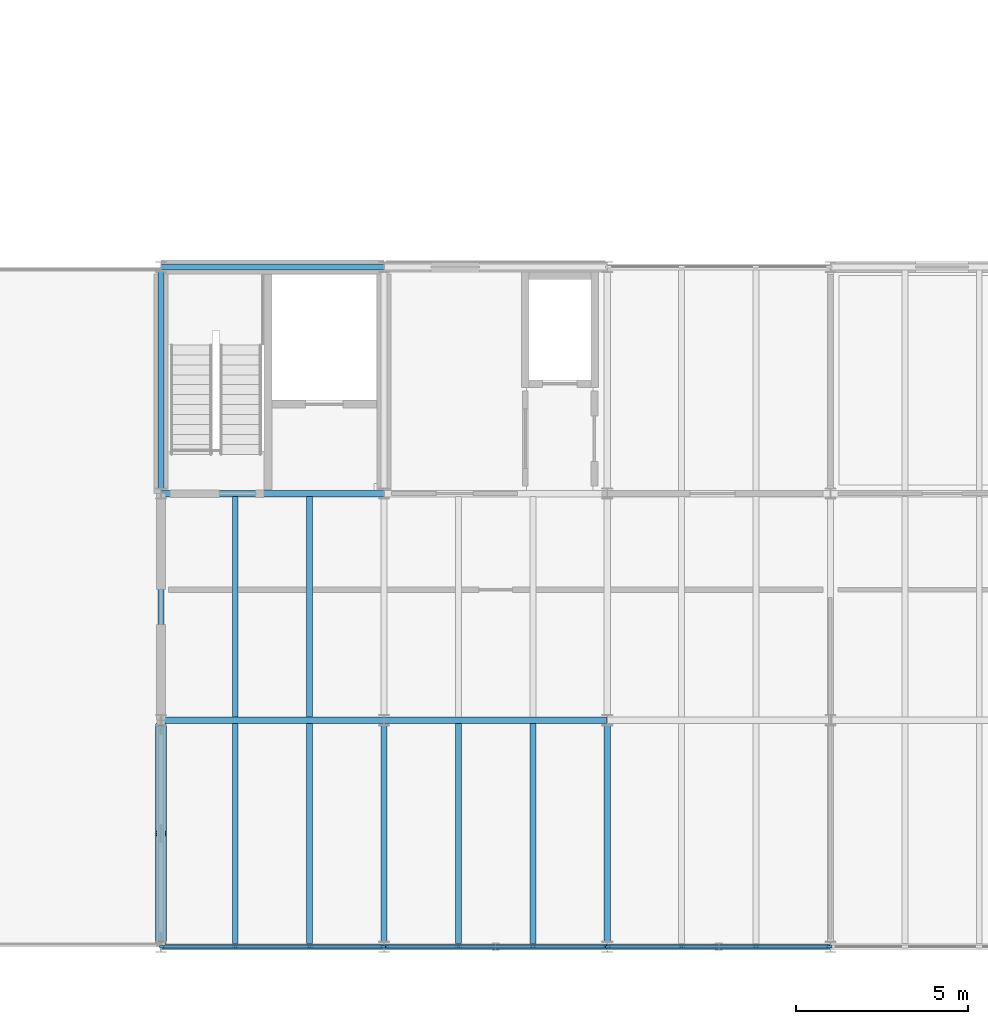
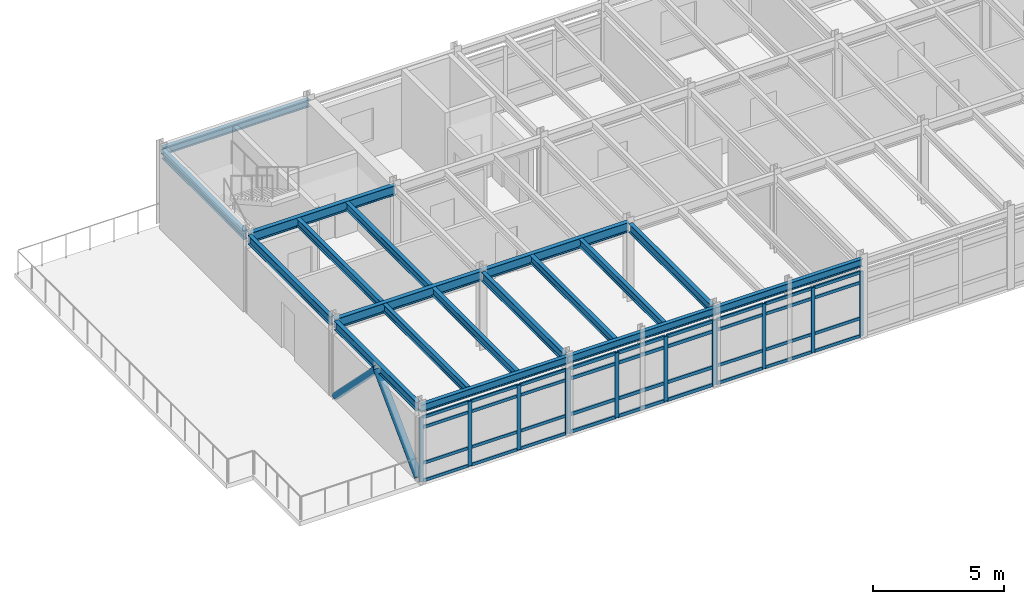
# One storey, part 19 of 57: 50 members, 18 beams, 3 elements without a shape of their own.
"""IFC4 building model written with IfcOpenShell, lengths in metres."""

from ifc_helpers import new_model, si_unit, direction, frame, origin, origin_2d, place, context, subcontext, project, spatial, rectangle, hollow_circle, i_section, extrude, material, layer, layer_set, material_profile, profile_set, type_object, element, aggregate, save


model = new_model("IFC4")

# Units and contexts
model_context = context("Model", 3, precision=1e-05, world=origin(), true_north=direction((0.0, 1.0)))
body_context = subcontext(model_context, "Body", "Model", "MODEL_VIEW")
ifc_project = project(units=[si_unit("LENGTHUNIT", "METRE"), si_unit("AREAUNIT", "SQUARE_METRE"), si_unit("VOLUMEUNIT", "CUBIC_METRE"), si_unit("PLANEANGLEUNIT", "RADIAN"), si_unit("MASSUNIT", "GRAM", prefix="KILO")], contexts=[model_context])

# Site, building, storey
site_placement = place(None, origin())
site = spatial("IfcSite", under=ifc_project, at=site_placement, CompositionType="ELEMENT")
building_placement = place(site_placement, origin())
building = spatial("IfcBuilding", under=site, at=building_placement, Name="Trelmorton Wharf Fire Station", CompositionType="ELEMENT")
storey_placement = place(building_placement, frame((0.0, 0.0, 13.5)))
storey = spatial("IfcBuildingStorey", under=building, at=storey_placement, Name="L03", CompositionType="ELEMENT", Elevation=13.5)

# Beams
ifc_material_1 = material(Name="Steel Grade 350", Category="steel")
ifc_material_profile_1 = material_profile(ifc_material_1, i_section(OverallWidth=0.177978515625, OverallDepth=0.406005859375, WebThickness=0.0078125, FlangeThickness=0.0126953125, FilletRadius=0.011474609375, at=origin_2d()), Name="410UB59.7")
ifc_profile_set_1 = profile_set([ifc_material_profile_1], Name="Steel Grade 350")
beam_type_1 = type_object("IfcBeamType", Name="BM_410UB60", PredefinedType="BEAM", material=ifc_profile_set_1)
for number, where, z_axis, x_axis, name in (
    (1, (110.5, 7.95361328125, 3.427001953125), (0.0, 1.0, 0.0), (-1.0, 0.0, 0.0), "BM-L03-0983"),
    (2, (110.5, 14.553466796875, 3.427001953125), (0.0, 1.0, 0.0), (-1.0, 0.0, 0.0), "BM-L03-0984"),
    (3, (110.5, 21.153564453125, 3.427001953125), (0.0, 1.0, 0.0), (-1.0, 0.0, 0.0), "BM-L03-0985"),
    (4, (117.0, 7.95361328125, 3.427001953125), (0.0, 1.0, 0.0), (-1.0, 0.0, 0.0), "BM-L03-0989"),
    (5, (123.5, 7.95361328125, 3.427001953125), (0.0, 1.0, 0.0), (-1.0, 0.0, 0.0), "BM-L03-0995"),
):
    element("IfcBeam", number, at=place(storey_placement, frame(where, z_axis=z_axis, x_axis=x_axis)), inside=storey, type_object=beam_type_1, Name=name, PredefinedType="BEAM", context=body_context, shape_type="SweptSolid", body=[
        extrude(i_section(OverallWidth=0.177978515625, OverallDepth=0.406005859375, WebThickness=0.0078125, FlangeThickness=0.0126953125, FilletRadius=0.011474609375, at=origin_2d()), origin(), (0.0, 0.0, 1.0), 6.29296875),
    ])
ifc_material_profile_2 = material_profile(ifc_material_1, i_section(OverallWidth=0.18994140625, OverallDepth=0.45703125, WebThickness=0.009033203125, FlangeThickness=0.014404296875, FilletRadius=0.011474609375, at=origin_2d()), Name="460UB74.6")
ifc_profile_set_2 = profile_set([ifc_material_profile_2], Name="Steel Grade 350")
beam_type_2 = type_object("IfcBeamType", Name="BM_460UB75", PredefinedType="BEAM", material=ifc_profile_set_2)
for number, where, z_axis, x_axis, name in (
    (6, (110.50390625, 14.39990234375, 3.401611328125), (1.0, 0.0, 0.0), (0.0, 1.0, 0.0), "BM-L03-0885"),
    (7, (117.00390625, 14.39990234375, 3.401611328125), (1.0, 0.0, 0.0), (0.0, 1.0, 0.0), "BM-L03-0886"),
    (8, (110.50390625, 21.0, 3.401611328125), (1.0, 0.0, 0.0), (0.0, 1.0, 0.0), "BM-L03-0897"),
):
    element("IfcBeam", number, at=place(storey_placement, frame(where, z_axis=z_axis, x_axis=x_axis)), inside=storey, type_object=beam_type_2, Name=name, PredefinedType="BEAM", context=body_context, shape_type="SweptSolid", body=[
        extrude(i_section(OverallWidth=0.18994140625, OverallDepth=0.45703125, WebThickness=0.009033203125, FlangeThickness=0.014404296875, FilletRadius=0.011474609375, at=origin_2d()), origin(), (0.0, 0.0, 1.0), 6.4921875),
    ])

# Members
ifc_material_2 = material(Name="Steel C450L0 (450 MPa)", Category="steel")
ifc_material_profile_3 = material_profile(ifc_material_2, hollow_circle(Radius=0.161865234375, WallThickness=0.0126953125, at=origin_2d()), Name="323.9x12.7CHS")
ifc_profile_set_3 = profile_set([ifc_material_profile_3], Name="Steel C450L0 (450 MPa)")
member_type_1 = type_object("IfcMemberType", Name="BR_324CHS", PredefinedType="BRACE", material=ifc_profile_set_3)
for number, where, z_axis, x_axis, name in (
    (9, (110.5, 7.95458984375, 0.1201171875), (0.0, 0.705489603679, 0.708720268583), (-1.0, 0.0, 0.0), "CBF-V5-W-L03-A"),
    (10, (110.5, 14.24560546875, 0.1201171875), (0.0, -0.705489603679, 0.708720268583), (1.0, 0.0, 0.0), "CBF-V5-W-L03-B"),
):
    element("IfcMember", number, at=place(storey_placement, frame(where, z_axis=z_axis, x_axis=x_axis)), inside=storey, type_object=member_type_1, Name=name, PredefinedType="BRACE", context=body_context, shape_type="SweptSolid", body=[
        extrude(hollow_circle(Radius=0.161865234375, WallThickness=0.0126953125, at=origin_2d()), origin(), (0.0, 0.0, 1.0), 4.45849609375),
    ])

# Curtain wall, members
ifc_material_3 = material(Name="Anodised aluminium AW-6063", Category="aluminium")
ifc_layer_1 = layer(ifc_material_3, 0.159912109375)
ifc_layer_set_1 = layer_set([ifc_layer_1], Name="Anodised aluminium AW-6063")
curtain_wall_type_1 = type_object("IfcCurtainWallType", Name="CW_CHIC_A", PredefinedType="USERDEFINED", material=ifc_layer_set_1)
curtain_wall_1_placement = place(storey_placement, origin())
curtain_wall_1 = element("IfcCurtainWall", 11, at=curtain_wall_1_placement, inside=storey, type_object=curtain_wall_type_1, Name="CW-V5-L03-061", ObjectType="CHICAGO BAY CURTAIN WALL", PredefinedType="USERDEFINED")
ifc_material_profile_4 = material_profile(ifc_material_3, rectangle(XDim=0.06494140625, YDim=0.159912109375, at=origin_2d()), Name="ALU-65x160")
ifc_profile_set_4 = profile_set([ifc_material_profile_4], Name="Anodised aluminium AW-6063")
member_type_2 = type_object("IfcMemberType", Name="CWM_65x160", PredefinedType="MULLION", material=ifc_profile_set_4)
member_1_placement = place(storey_placement, frame((116.965087890625, 7.800048828125, 0.0), z_axis=(0.0, 0.0, 1.0), x_axis=(0.0, -1.0, 0.0)))
member_1 = element("IfcMember", 12, at=member_1_placement, type_object=member_type_2, Name="CW1 mullion 1", PredefinedType="MULLION", context=body_context, shape_type="SweptSolid", body=[
    extrude(rectangle(XDim=0.06494140625, YDim=0.159912109375, at=origin_2d()), origin(), (0.0, 0.0, 1.0), 3.02001953125),
])
member_2_placement = place(storey_placement, frame((114.831787109375, 7.800048828125, 0.0), z_axis=(0.0, 0.0, 1.0), x_axis=(0.0, -1.0, 0.0)))
member_2 = element("IfcMember", 13, at=member_2_placement, type_object=member_type_2, Name="CW1 mullion 2", PredefinedType="MULLION", context=body_context, shape_type="SweptSolid", body=[
    extrude(rectangle(XDim=0.06494140625, YDim=0.159912109375, at=origin_2d()), origin(), (0.0, 0.0, 1.0), 3.02001953125),
])
member_3_placement = place(storey_placement, frame((112.668212890625, 7.800048828125, 0.0), z_axis=(0.0, 0.0, 1.0), x_axis=(0.0, -1.0, 0.0)))
member_3 = element("IfcMember", 14, at=member_3_placement, type_object=member_type_2, Name="CW1 mullion 3", PredefinedType="MULLION", context=body_context, shape_type="SweptSolid", body=[
    extrude(rectangle(XDim=0.06494140625, YDim=0.159912109375, at=origin_2d()), origin(), (0.0, 0.0, 1.0), 3.02001953125),
])
member_4_placement = place(storey_placement, frame((110.534912109375, 7.800048828125, 0.0), z_axis=(0.0, 0.0, 1.0), x_axis=(0.0, -1.0, 0.0)))
member_4 = element("IfcMember", 15, at=member_4_placement, type_object=member_type_2, Name="CW1 mullion 4", PredefinedType="MULLION", context=body_context, shape_type="SweptSolid", body=[
    extrude(rectangle(XDim=0.06494140625, YDim=0.159912109375, at=origin_2d()), origin(), (0.0, 0.0, 1.0), 3.02001953125),
])

curtain_wall_2_placement = place(storey_placement, origin())
curtain_wall_2 = element("IfcCurtainWall", 16, at=curtain_wall_2_placement, inside=storey, type_object=curtain_wall_type_1, Name="CW-V5-L03-063", ObjectType="CHICAGO BAY CURTAIN WALL", PredefinedType="USERDEFINED")
member_5_placement = place(storey_placement, frame((129.965087890625, 7.800048828125, 0.0), z_axis=(0.0, 0.0, 1.0), x_axis=(0.0, -1.0, 0.0)))
member_5 = element("IfcMember", 17, at=member_5_placement, type_object=member_type_2, Name="CW1 mullion 1", PredefinedType="MULLION", context=body_context, shape_type="SweptSolid", body=[
    extrude(rectangle(XDim=0.06494140625, YDim=0.159912109375, at=origin_2d()), origin(), (0.0, 0.0, 1.0), 3.02001953125),
])
member_6_placement = place(storey_placement, frame((127.831787109375, 7.800048828125, 0.0), z_axis=(0.0, 0.0, 1.0), x_axis=(0.0, -1.0, 0.0)))
member_6 = element("IfcMember", 18, at=member_6_placement, type_object=member_type_2, Name="CW1 mullion 2", PredefinedType="MULLION", context=body_context, shape_type="SweptSolid", body=[
    extrude(rectangle(XDim=0.06494140625, YDim=0.159912109375, at=origin_2d()), origin(), (0.0, 0.0, 1.0), 3.02001953125),
])
member_7_placement = place(storey_placement, frame((125.668212890625, 7.800048828125, 0.0), z_axis=(0.0, 0.0, 1.0), x_axis=(0.0, -1.0, 0.0)))
member_7 = element("IfcMember", 19, at=member_7_placement, type_object=member_type_2, Name="CW1 mullion 3", PredefinedType="MULLION", context=body_context, shape_type="SweptSolid", body=[
    extrude(rectangle(XDim=0.06494140625, YDim=0.159912109375, at=origin_2d()), origin(), (0.0, 0.0, 1.0), 3.02001953125),
])
member_8_placement = place(storey_placement, frame((123.534912109375, 7.800048828125, 0.0), z_axis=(0.0, 0.0, 1.0), x_axis=(0.0, -1.0, 0.0)))
member_8 = element("IfcMember", 20, at=member_8_placement, type_object=member_type_2, Name="CW1 mullion 4", PredefinedType="MULLION", context=body_context, shape_type="SweptSolid", body=[
    extrude(rectangle(XDim=0.06494140625, YDim=0.159912109375, at=origin_2d()), origin(), (0.0, 0.0, 1.0), 3.02001953125),
])

ifc_layer_2 = layer(ifc_material_3, 0.175048828125)
ifc_layer_set_2 = layer_set([ifc_layer_2], Name="Anodised aluminium AW-6063")
curtain_wall_type_2 = type_object("IfcCurtainWallType", Name="CW_CHIC_B", PredefinedType="USERDEFINED", material=ifc_layer_set_2)
curtain_wall_3_placement = place(storey_placement, origin())
curtain_wall_3 = element("IfcCurtainWall", 21, at=curtain_wall_3_placement, inside=storey, type_object=curtain_wall_type_2, Name="CW-V5-L03-062", ObjectType="CHICAGO BAY CURTAIN WALL", PredefinedType="USERDEFINED")
ifc_material_profile_5 = material_profile(ifc_material_3, rectangle(XDim=0.074951171875, YDim=0.175048828125, at=origin_2d()), Name="ALU-75x175")
ifc_profile_set_5 = profile_set([ifc_material_profile_5], Name="Anodised aluminium AW-6063")
member_type_3 = type_object("IfcMemberType", Name="CWM_75x175", PredefinedType="MULLION", material=ifc_profile_set_5)
member_9_placement = place(storey_placement, frame((123.465087890625, 7.800048828125, 0.0), z_axis=(0.0, 0.0, 1.0), x_axis=(0.0, -1.0, 0.0)))
member_9 = element("IfcMember", 22, at=member_9_placement, type_object=member_type_3, Name="CW2 mullion 1", PredefinedType="MULLION", context=body_context, shape_type="SweptSolid", body=[
    extrude(rectangle(XDim=0.074951171875, YDim=0.175048828125, at=origin_2d()), origin(), (0.0, 0.0, 1.0), 3.02001953125),
])
member_10_placement = place(storey_placement, frame((121.331787109375, 7.800048828125, 0.0), z_axis=(0.0, 0.0, 1.0), x_axis=(0.0, -1.0, 0.0)))
member_10 = element("IfcMember", 23, at=member_10_placement, type_object=member_type_3, Name="CW2 mullion 2", PredefinedType="MULLION", context=body_context, shape_type="SweptSolid", body=[
    extrude(rectangle(XDim=0.074951171875, YDim=0.175048828125, at=origin_2d()), origin(), (0.0, 0.0, 1.0), 3.02001953125),
])
member_11_placement = place(storey_placement, frame((119.168212890625, 7.800048828125, 0.0), z_axis=(0.0, 0.0, 1.0), x_axis=(0.0, -1.0, 0.0)))
member_11 = element("IfcMember", 24, at=member_11_placement, type_object=member_type_3, Name="CW2 mullion 3", PredefinedType="MULLION", context=body_context, shape_type="SweptSolid", body=[
    extrude(rectangle(XDim=0.074951171875, YDim=0.175048828125, at=origin_2d()), origin(), (0.0, 0.0, 1.0), 3.02001953125),
])
member_12_placement = place(storey_placement, frame((117.034912109375, 7.800048828125, 0.0), z_axis=(0.0, 0.0, 1.0), x_axis=(0.0, -1.0, 0.0)))
member_12 = element("IfcMember", 25, at=member_12_placement, type_object=member_type_3, Name="CW2 mullion 4", PredefinedType="MULLION", context=body_context, shape_type="SweptSolid", body=[
    extrude(rectangle(XDim=0.074951171875, YDim=0.175048828125, at=origin_2d()), origin(), (0.0, 0.0, 1.0), 3.02001953125),
])

# Member
ifc_material_profile_6 = material_profile(ifc_material_3, rectangle(XDim=0.06494140625, YDim=0.139892578125, at=origin_2d()), Name="ALU-65x140")
ifc_profile_set_6 = profile_set([ifc_material_profile_6], Name="Anodised aluminium AW-6063")
member_type_4 = type_object("IfcMemberType", Name="CWT_65x140", PredefinedType="USERDEFINED", material=ifc_profile_set_6)
member_13_placement = place(storey_placement, frame((116.93505859375, 7.800048828125, 0.030029296875), z_axis=(-1.0, 0.0, 0.0), x_axis=(0.0, -1.0, 0.0)))
member_13 = element("IfcMember", 26, at=member_13_placement, type_object=member_type_4, Name="CW1 transom 1.1", ObjectType="TRANSOM", PredefinedType="USERDEFINED", context=body_context, shape_type="SweptSolid", body=[
    extrude(rectangle(XDim=0.06494140625, YDim=0.139892578125, at=origin_2d()), origin(), (0.0, 0.0, 1.0), 2.073486328125),
])

member_14_placement = place(storey_placement, frame((116.93505859375, 7.800048828125, 0.85009765625), z_axis=(-1.0, 0.0, 0.0), x_axis=(0.0, -1.0, 0.0)))
member_14 = element("IfcMember", 27, at=member_14_placement, type_object=member_type_4, Name="CW1 transom 1.2", ObjectType="TRANSOM", PredefinedType="USERDEFINED", context=body_context, shape_type="SweptSolid", body=[
    extrude(rectangle(XDim=0.06494140625, YDim=0.139892578125, at=origin_2d()), origin(), (0.0, 0.0, 1.0), 2.073486328125),
])

member_15_placement = place(storey_placement, frame((116.93505859375, 7.800048828125, 2.52001953125), z_axis=(-1.0, 0.0, 0.0), x_axis=(0.0, -1.0, 0.0)))
member_15 = element("IfcMember", 28, at=member_15_placement, type_object=member_type_4, Name="CW1 transom 1.3", ObjectType="TRANSOM", PredefinedType="USERDEFINED", context=body_context, shape_type="SweptSolid", body=[
    extrude(rectangle(XDim=0.06494140625, YDim=0.139892578125, at=origin_2d()), origin(), (0.0, 0.0, 1.0), 2.073486328125),
])

member_16_placement = place(storey_placement, frame((116.93505859375, 7.800048828125, 2.989990234375), z_axis=(-1.0, 0.0, 0.0), x_axis=(0.0, -1.0, 0.0)))
member_16 = element("IfcMember", 29, at=member_16_placement, type_object=member_type_4, Name="CW1 transom 1.4", ObjectType="TRANSOM", PredefinedType="USERDEFINED", context=body_context, shape_type="SweptSolid", body=[
    extrude(rectangle(XDim=0.06494140625, YDim=0.139892578125, at=origin_2d()), origin(), (0.0, 0.0, 1.0), 2.073486328125),
])

member_17_placement = place(storey_placement, frame((114.8017578125, 7.800048828125, 0.030029296875), z_axis=(-1.0, 0.0, 0.0), x_axis=(0.0, -1.0, 0.0)))
member_17 = element("IfcMember", 30, at=member_17_placement, type_object=member_type_4, Name="CW1 transom 2.1", ObjectType="TRANSOM", PredefinedType="USERDEFINED", context=body_context, shape_type="SweptSolid", body=[
    extrude(rectangle(XDim=0.06494140625, YDim=0.139892578125, at=origin_2d()), origin(), (0.0, 0.0, 1.0), 2.103515625),
])

member_18_placement = place(storey_placement, frame((114.8017578125, 7.800048828125, 0.85009765625), z_axis=(-1.0, 0.0, 0.0), x_axis=(0.0, -1.0, 0.0)))
member_18 = element("IfcMember", 31, at=member_18_placement, type_object=member_type_4, Name="CW1 transom 2.2", ObjectType="TRANSOM", PredefinedType="USERDEFINED", context=body_context, shape_type="SweptSolid", body=[
    extrude(rectangle(XDim=0.06494140625, YDim=0.139892578125, at=origin_2d()), origin(), (0.0, 0.0, 1.0), 2.103515625),
])

member_19_placement = place(storey_placement, frame((114.8017578125, 7.800048828125, 2.52001953125), z_axis=(-1.0, 0.0, 0.0), x_axis=(0.0, -1.0, 0.0)))
member_19 = element("IfcMember", 32, at=member_19_placement, type_object=member_type_4, Name="CW1 transom 2.3", ObjectType="TRANSOM", PredefinedType="USERDEFINED", context=body_context, shape_type="SweptSolid", body=[
    extrude(rectangle(XDim=0.06494140625, YDim=0.139892578125, at=origin_2d()), origin(), (0.0, 0.0, 1.0), 2.103515625),
])

member_20_placement = place(storey_placement, frame((114.8017578125, 7.800048828125, 2.989990234375), z_axis=(-1.0, 0.0, 0.0), x_axis=(0.0, -1.0, 0.0)))
member_20 = element("IfcMember", 33, at=member_20_placement, type_object=member_type_4, Name="CW1 transom 2.4", ObjectType="TRANSOM", PredefinedType="USERDEFINED", context=body_context, shape_type="SweptSolid", body=[
    extrude(rectangle(XDim=0.06494140625, YDim=0.139892578125, at=origin_2d()), origin(), (0.0, 0.0, 1.0), 2.103515625),
])

member_21_placement = place(storey_placement, frame((112.638427734375, 7.800048828125, 0.030029296875), z_axis=(-1.0, 0.0, 0.0), x_axis=(0.0, -1.0, 0.0)))
member_21 = element("IfcMember", 34, at=member_21_placement, type_object=member_type_4, Name="CW1 transom 3.1", ObjectType="TRANSOM", PredefinedType="USERDEFINED", context=body_context, shape_type="SweptSolid", body=[
    extrude(rectangle(XDim=0.06494140625, YDim=0.139892578125, at=origin_2d()), origin(), (0.0, 0.0, 1.0), 2.073486328125),
])

member_22_placement = place(storey_placement, frame((112.638427734375, 7.800048828125, 0.85009765625), z_axis=(-1.0, 0.0, 0.0), x_axis=(0.0, -1.0, 0.0)))
member_22 = element("IfcMember", 35, at=member_22_placement, type_object=member_type_4, Name="CW1 transom 3.2", ObjectType="TRANSOM", PredefinedType="USERDEFINED", context=body_context, shape_type="SweptSolid", body=[
    extrude(rectangle(XDim=0.06494140625, YDim=0.139892578125, at=origin_2d()), origin(), (0.0, 0.0, 1.0), 2.073486328125),
])

member_23_placement = place(storey_placement, frame((112.638427734375, 7.800048828125, 2.52001953125), z_axis=(-1.0, 0.0, 0.0), x_axis=(0.0, -1.0, 0.0)))
member_23 = element("IfcMember", 36, at=member_23_placement, type_object=member_type_4, Name="CW1 transom 3.3", ObjectType="TRANSOM", PredefinedType="USERDEFINED", context=body_context, shape_type="SweptSolid", body=[
    extrude(rectangle(XDim=0.06494140625, YDim=0.139892578125, at=origin_2d()), origin(), (0.0, 0.0, 1.0), 2.073486328125),
])

member_24_placement = place(storey_placement, frame((112.638427734375, 7.800048828125, 2.989990234375), z_axis=(-1.0, 0.0, 0.0), x_axis=(0.0, -1.0, 0.0)))
member_24 = element("IfcMember", 37, at=member_24_placement, type_object=member_type_4, Name="CW1 transom 3.4", ObjectType="TRANSOM", PredefinedType="USERDEFINED", context=body_context, shape_type="SweptSolid", body=[
    extrude(rectangle(XDim=0.06494140625, YDim=0.139892578125, at=origin_2d()), origin(), (0.0, 0.0, 1.0), 2.073486328125),
])

aggregate(curtain_wall_1, [member_1, member_2, member_3, member_4, member_13, member_14, member_15, member_16, member_17, member_18, member_19, member_20, member_21, member_22, member_23, member_24])

member_25_placement = place(storey_placement, frame((129.93505859375, 7.800048828125, 0.030029296875), z_axis=(-1.0, 0.0, 0.0), x_axis=(0.0, -1.0, 0.0)))
member_25 = element("IfcMember", 38, at=member_25_placement, type_object=member_type_4, Name="CW1 transom 1.1", ObjectType="TRANSOM", PredefinedType="USERDEFINED", context=body_context, shape_type="SweptSolid", body=[
    extrude(rectangle(XDim=0.06494140625, YDim=0.139892578125, at=origin_2d()), origin(), (0.0, 0.0, 1.0), 2.073486328125),
])

member_26_placement = place(storey_placement, frame((129.93505859375, 7.800048828125, 0.85009765625), z_axis=(-1.0, 0.0, 0.0), x_axis=(0.0, -1.0, 0.0)))
member_26 = element("IfcMember", 39, at=member_26_placement, type_object=member_type_4, Name="CW1 transom 1.2", ObjectType="TRANSOM", PredefinedType="USERDEFINED", context=body_context, shape_type="SweptSolid", body=[
    extrude(rectangle(XDim=0.06494140625, YDim=0.139892578125, at=origin_2d()), origin(), (0.0, 0.0, 1.0), 2.073486328125),
])

member_27_placement = place(storey_placement, frame((129.93505859375, 7.800048828125, 2.52001953125), z_axis=(-1.0, 0.0, 0.0), x_axis=(0.0, -1.0, 0.0)))
member_27 = element("IfcMember", 40, at=member_27_placement, type_object=member_type_4, Name="CW1 transom 1.3", ObjectType="TRANSOM", PredefinedType="USERDEFINED", context=body_context, shape_type="SweptSolid", body=[
    extrude(rectangle(XDim=0.06494140625, YDim=0.139892578125, at=origin_2d()), origin(), (0.0, 0.0, 1.0), 2.073486328125),
])

member_28_placement = place(storey_placement, frame((129.93505859375, 7.800048828125, 2.989990234375), z_axis=(-1.0, 0.0, 0.0), x_axis=(0.0, -1.0, 0.0)))
member_28 = element("IfcMember", 41, at=member_28_placement, type_object=member_type_4, Name="CW1 transom 1.4", ObjectType="TRANSOM", PredefinedType="USERDEFINED", context=body_context, shape_type="SweptSolid", body=[
    extrude(rectangle(XDim=0.06494140625, YDim=0.139892578125, at=origin_2d()), origin(), (0.0, 0.0, 1.0), 2.073486328125),
])

member_29_placement = place(storey_placement, frame((127.8017578125, 7.800048828125, 0.030029296875), z_axis=(-1.0, 0.0, 0.0), x_axis=(0.0, -1.0, 0.0)))
member_29 = element("IfcMember", 42, at=member_29_placement, type_object=member_type_4, Name="CW1 transom 2.1", ObjectType="TRANSOM", PredefinedType="USERDEFINED", context=body_context, shape_type="SweptSolid", body=[
    extrude(rectangle(XDim=0.06494140625, YDim=0.139892578125, at=origin_2d()), origin(), (0.0, 0.0, 1.0), 2.103515625),
])

member_30_placement = place(storey_placement, frame((127.8017578125, 7.800048828125, 0.85009765625), z_axis=(-1.0, 0.0, 0.0), x_axis=(0.0, -1.0, 0.0)))
member_30 = element("IfcMember", 43, at=member_30_placement, type_object=member_type_4, Name="CW1 transom 2.2", ObjectType="TRANSOM", PredefinedType="USERDEFINED", context=body_context, shape_type="SweptSolid", body=[
    extrude(rectangle(XDim=0.06494140625, YDim=0.139892578125, at=origin_2d()), origin(), (0.0, 0.0, 1.0), 2.103515625),
])

member_31_placement = place(storey_placement, frame((127.8017578125, 7.800048828125, 2.52001953125), z_axis=(-1.0, 0.0, 0.0), x_axis=(0.0, -1.0, 0.0)))
member_31 = element("IfcMember", 44, at=member_31_placement, type_object=member_type_4, Name="CW1 transom 2.3", ObjectType="TRANSOM", PredefinedType="USERDEFINED", context=body_context, shape_type="SweptSolid", body=[
    extrude(rectangle(XDim=0.06494140625, YDim=0.139892578125, at=origin_2d()), origin(), (0.0, 0.0, 1.0), 2.103515625),
])

member_32_placement = place(storey_placement, frame((127.8017578125, 7.800048828125, 2.989990234375), z_axis=(-1.0, 0.0, 0.0), x_axis=(0.0, -1.0, 0.0)))
member_32 = element("IfcMember", 45, at=member_32_placement, type_object=member_type_4, Name="CW1 transom 2.4", ObjectType="TRANSOM", PredefinedType="USERDEFINED", context=body_context, shape_type="SweptSolid", body=[
    extrude(rectangle(XDim=0.06494140625, YDim=0.139892578125, at=origin_2d()), origin(), (0.0, 0.0, 1.0), 2.103515625),
])

member_33_placement = place(storey_placement, frame((125.638427734375, 7.800048828125, 0.030029296875), z_axis=(-1.0, 0.0, 0.0), x_axis=(0.0, -1.0, 0.0)))
member_33 = element("IfcMember", 46, at=member_33_placement, type_object=member_type_4, Name="CW1 transom 3.1", ObjectType="TRANSOM", PredefinedType="USERDEFINED", context=body_context, shape_type="SweptSolid", body=[
    extrude(rectangle(XDim=0.06494140625, YDim=0.139892578125, at=origin_2d()), origin(), (0.0, 0.0, 1.0), 2.073486328125),
])

member_34_placement = place(storey_placement, frame((125.638427734375, 7.800048828125, 0.85009765625), z_axis=(-1.0, 0.0, 0.0), x_axis=(0.0, -1.0, 0.0)))
member_34 = element("IfcMember", 47, at=member_34_placement, type_object=member_type_4, Name="CW1 transom 3.2", ObjectType="TRANSOM", PredefinedType="USERDEFINED", context=body_context, shape_type="SweptSolid", body=[
    extrude(rectangle(XDim=0.06494140625, YDim=0.139892578125, at=origin_2d()), origin(), (0.0, 0.0, 1.0), 2.073486328125),
])

member_35_placement = place(storey_placement, frame((125.638427734375, 7.800048828125, 2.52001953125), z_axis=(-1.0, 0.0, 0.0), x_axis=(0.0, -1.0, 0.0)))
member_35 = element("IfcMember", 48, at=member_35_placement, type_object=member_type_4, Name="CW1 transom 3.3", ObjectType="TRANSOM", PredefinedType="USERDEFINED", context=body_context, shape_type="SweptSolid", body=[
    extrude(rectangle(XDim=0.06494140625, YDim=0.139892578125, at=origin_2d()), origin(), (0.0, 0.0, 1.0), 2.073486328125),
])

member_36_placement = place(storey_placement, frame((125.638427734375, 7.800048828125, 2.989990234375), z_axis=(-1.0, 0.0, 0.0), x_axis=(0.0, -1.0, 0.0)))
member_36 = element("IfcMember", 49, at=member_36_placement, type_object=member_type_4, Name="CW1 transom 3.4", ObjectType="TRANSOM", PredefinedType="USERDEFINED", context=body_context, shape_type="SweptSolid", body=[
    extrude(rectangle(XDim=0.06494140625, YDim=0.139892578125, at=origin_2d()), origin(), (0.0, 0.0, 1.0), 2.073486328125),
])

aggregate(curtain_wall_2, [member_5, member_6, member_7, member_8, member_25, member_26, member_27, member_28, member_29, member_30, member_31, member_32, member_33, member_34, member_35, member_36])

ifc_material_profile_7 = material_profile(ifc_material_3, rectangle(XDim=0.074951171875, YDim=0.155029296875, at=origin_2d()), Name="ALU-75x155")
ifc_profile_set_7 = profile_set([ifc_material_profile_7], Name="Anodised aluminium AW-6063")
member_type_5 = type_object("IfcMemberType", Name="CWT_75x155", PredefinedType="USERDEFINED", material=ifc_profile_set_7)
member_37_placement = place(storey_placement, frame((123.43505859375, 7.800048828125, 0.030029296875), z_axis=(-1.0, 0.0, 0.0), x_axis=(0.0, -1.0, 0.0)))
member_37 = element("IfcMember", 50, at=member_37_placement, type_object=member_type_5, Name="CW2 transom 1.1", ObjectType="TRANSOM", PredefinedType="USERDEFINED", context=body_context, shape_type="SweptSolid", body=[
    extrude(rectangle(XDim=0.074951171875, YDim=0.155029296875, at=origin_2d()), origin(), (0.0, 0.0, 1.0), 2.073486328125),
])

member_38_placement = place(storey_placement, frame((123.43505859375, 7.800048828125, 0.85009765625), z_axis=(-1.0, 0.0, 0.0), x_axis=(0.0, -1.0, 0.0)))
member_38 = element("IfcMember", 51, at=member_38_placement, type_object=member_type_5, Name="CW2 transom 1.2", ObjectType="TRANSOM", PredefinedType="USERDEFINED", context=body_context, shape_type="SweptSolid", body=[
    extrude(rectangle(XDim=0.074951171875, YDim=0.155029296875, at=origin_2d()), origin(), (0.0, 0.0, 1.0), 2.073486328125),
])

member_39_placement = place(storey_placement, frame((123.43505859375, 7.800048828125, 2.52001953125), z_axis=(-1.0, 0.0, 0.0), x_axis=(0.0, -1.0, 0.0)))
member_39 = element("IfcMember", 52, at=member_39_placement, type_object=member_type_5, Name="CW2 transom 1.3", ObjectType="TRANSOM", PredefinedType="USERDEFINED", context=body_context, shape_type="SweptSolid", body=[
    extrude(rectangle(XDim=0.074951171875, YDim=0.155029296875, at=origin_2d()), origin(), (0.0, 0.0, 1.0), 2.073486328125),
])

member_40_placement = place(storey_placement, frame((123.43505859375, 7.800048828125, 2.989990234375), z_axis=(-1.0, 0.0, 0.0), x_axis=(0.0, -1.0, 0.0)))
member_40 = element("IfcMember", 53, at=member_40_placement, type_object=member_type_5, Name="CW2 transom 1.4", ObjectType="TRANSOM", PredefinedType="USERDEFINED", context=body_context, shape_type="SweptSolid", body=[
    extrude(rectangle(XDim=0.074951171875, YDim=0.155029296875, at=origin_2d()), origin(), (0.0, 0.0, 1.0), 2.073486328125),
])

member_41_placement = place(storey_placement, frame((121.3017578125, 7.800048828125, 0.030029296875), z_axis=(-1.0, 0.0, 0.0), x_axis=(0.0, -1.0, 0.0)))
member_41 = element("IfcMember", 54, at=member_41_placement, type_object=member_type_5, Name="CW2 transom 2.1", ObjectType="TRANSOM", PredefinedType="USERDEFINED", context=body_context, shape_type="SweptSolid", body=[
    extrude(rectangle(XDim=0.074951171875, YDim=0.155029296875, at=origin_2d()), origin(), (0.0, 0.0, 1.0), 2.103515625),
])

member_42_placement = place(storey_placement, frame((121.3017578125, 7.800048828125, 0.85009765625), z_axis=(-1.0, 0.0, 0.0), x_axis=(0.0, -1.0, 0.0)))
member_42 = element("IfcMember", 55, at=member_42_placement, type_object=member_type_5, Name="CW2 transom 2.2", ObjectType="TRANSOM", PredefinedType="USERDEFINED", context=body_context, shape_type="SweptSolid", body=[
    extrude(rectangle(XDim=0.074951171875, YDim=0.155029296875, at=origin_2d()), origin(), (0.0, 0.0, 1.0), 2.103515625),
])

member_43_placement = place(storey_placement, frame((121.3017578125, 7.800048828125, 2.52001953125), z_axis=(-1.0, 0.0, 0.0), x_axis=(0.0, -1.0, 0.0)))
member_43 = element("IfcMember", 56, at=member_43_placement, type_object=member_type_5, Name="CW2 transom 2.3", ObjectType="TRANSOM", PredefinedType="USERDEFINED", context=body_context, shape_type="SweptSolid", body=[
    extrude(rectangle(XDim=0.074951171875, YDim=0.155029296875, at=origin_2d()), origin(), (0.0, 0.0, 1.0), 2.103515625),
])

member_44_placement = place(storey_placement, frame((121.3017578125, 7.800048828125, 2.989990234375), z_axis=(-1.0, 0.0, 0.0), x_axis=(0.0, -1.0, 0.0)))
member_44 = element("IfcMember", 57, at=member_44_placement, type_object=member_type_5, Name="CW2 transom 2.4", ObjectType="TRANSOM", PredefinedType="USERDEFINED", context=body_context, shape_type="SweptSolid", body=[
    extrude(rectangle(XDim=0.074951171875, YDim=0.155029296875, at=origin_2d()), origin(), (0.0, 0.0, 1.0), 2.103515625),
])

member_45_placement = place(storey_placement, frame((119.138427734375, 7.800048828125, 0.030029296875), z_axis=(-1.0, 0.0, 0.0), x_axis=(0.0, -1.0, 0.0)))
member_45 = element("IfcMember", 58, at=member_45_placement, type_object=member_type_5, Name="CW2 transom 3.1", ObjectType="TRANSOM", PredefinedType="USERDEFINED", context=body_context, shape_type="SweptSolid", body=[
    extrude(rectangle(XDim=0.074951171875, YDim=0.155029296875, at=origin_2d()), origin(), (0.0, 0.0, 1.0), 2.073486328125),
])

member_46_placement = place(storey_placement, frame((119.138427734375, 7.800048828125, 0.85009765625), z_axis=(-1.0, 0.0, 0.0), x_axis=(0.0, -1.0, 0.0)))
member_46 = element("IfcMember", 59, at=member_46_placement, type_object=member_type_5, Name="CW2 transom 3.2", ObjectType="TRANSOM", PredefinedType="USERDEFINED", context=body_context, shape_type="SweptSolid", body=[
    extrude(rectangle(XDim=0.074951171875, YDim=0.155029296875, at=origin_2d()), origin(), (0.0, 0.0, 1.0), 2.073486328125),
])

member_47_placement = place(storey_placement, frame((119.138427734375, 7.800048828125, 2.52001953125), z_axis=(-1.0, 0.0, 0.0), x_axis=(0.0, -1.0, 0.0)))
member_47 = element("IfcMember", 60, at=member_47_placement, type_object=member_type_5, Name="CW2 transom 3.3", ObjectType="TRANSOM", PredefinedType="USERDEFINED", context=body_context, shape_type="SweptSolid", body=[
    extrude(rectangle(XDim=0.074951171875, YDim=0.155029296875, at=origin_2d()), origin(), (0.0, 0.0, 1.0), 2.073486328125),
])

member_48_placement = place(storey_placement, frame((119.138427734375, 7.800048828125, 2.989990234375), z_axis=(-1.0, 0.0, 0.0), x_axis=(0.0, -1.0, 0.0)))
member_48 = element("IfcMember", 61, at=member_48_placement, type_object=member_type_5, Name="CW2 transom 3.4", ObjectType="TRANSOM", PredefinedType="USERDEFINED", context=body_context, shape_type="SweptSolid", body=[
    extrude(rectangle(XDim=0.074951171875, YDim=0.155029296875, at=origin_2d()), origin(), (0.0, 0.0, 1.0), 2.073486328125),
])

aggregate(curtain_wall_3, [member_9, member_10, member_11, member_12, member_37, member_38, member_39, member_40, member_41, member_42, member_43, member_44, member_45, member_46, member_47, member_48])

# Beams
ifc_material_profile_8 = material_profile(ifc_material_1, i_section(OverallWidth=0.172119140625, OverallDepth=0.35888671875, WebThickness=0.008056640625, FlangeThickness=0.012939453125, FilletRadius=0.011474609375, at=origin_2d()), Name="360UB56.7")
ifc_profile_set_8 = profile_set([ifc_material_profile_8], Name="Steel Grade 350")
beam_type_3 = type_object("IfcBeamType", Name="JS_360UB57", PredefinedType="JOIST", material=ifc_profile_set_8)
for number, where, z_axis, x_axis, name in (
    (62, (112.666748046875, 7.889892578125, 3.450439453125), (0.0, 1.0, 0.0), (-1.0, 0.0, 0.0), "JS-L03-0343"),
    (63, (114.833251953125, 7.889892578125, 3.450439453125), (0.0, 1.0, 0.0), (-1.0, 0.0, 0.0), "JS-L03-0344"),
):
    element("IfcBeam", number, at=place(storey_placement, frame(where, z_axis=z_axis, x_axis=x_axis)), inside=storey, type_object=beam_type_3, Name=name, PredefinedType="JOIST", context=body_context, shape_type="SweptSolid", body=[
        extrude(i_section(OverallWidth=0.172119140625, OverallDepth=0.35888671875, WebThickness=0.008056640625, FlangeThickness=0.012939453125, FilletRadius=0.011474609375, at=origin_2d()), origin(), (0.0, 0.0, 1.0), 6.420166015625),
    ])
for number, where, z_axis, x_axis, name in (
    (64, (112.666748046875, 14.489990234375, 3.450439453125), (0.0, 1.0, 0.0), (-1.0, 0.0, 0.0), "JS-L03-0345"),
    (65, (114.833251953125, 14.489990234375, 3.450439453125), (0.0, 1.0, 0.0), (-1.0, 0.0, 0.0), "JS-L03-0346"),
):
    element("IfcBeam", number, at=place(storey_placement, frame(where, z_axis=z_axis, x_axis=x_axis)), inside=storey, type_object=beam_type_3, Name=name, PredefinedType="JOIST", context=body_context, shape_type="SweptSolid", body=[
        extrude(i_section(OverallWidth=0.172119140625, OverallDepth=0.35888671875, WebThickness=0.008056640625, FlangeThickness=0.012939453125, FilletRadius=0.011474609375, at=origin_2d()), origin(), (0.0, 0.0, 1.0), 6.419921875),
    ])
for number, where, z_axis, x_axis, name in (
    (66, (119.166748046875, 7.889892578125, 3.450439453125), (0.0, 1.0, 0.0), (-1.0, 0.0, 0.0), "JS-L03-0349"),
    (67, (121.333251953125, 7.889892578125, 3.450439453125), (0.0, 1.0, 0.0), (-1.0, 0.0, 0.0), "JS-L03-0350"),
):
    element("IfcBeam", number, at=place(storey_placement, frame(where, z_axis=z_axis, x_axis=x_axis)), inside=storey, type_object=beam_type_3, Name=name, PredefinedType="JOIST", context=body_context, shape_type="SweptSolid", body=[
        extrude(i_section(OverallWidth=0.172119140625, OverallDepth=0.35888671875, WebThickness=0.008056640625, FlangeThickness=0.012939453125, FilletRadius=0.011474609375, at=origin_2d()), origin(), (0.0, 0.0, 1.0), 6.420166015625),
    ])
ifc_material_profile_9 = material_profile(ifc_material_1, i_section(OverallWidth=0.1708984375, OverallDepth=0.35595703125, WebThickness=0.00732421875, FlangeThickness=0.011474609375, FilletRadius=0.011474609375, at=origin_2d()), Name="360UB50.7")
ifc_profile_set_9 = profile_set([ifc_material_profile_9], Name="Steel Grade 350")
beam_type_4 = type_object("IfcBeamType", Name="SP_360UB51", PredefinedType="SPANDREL", material=ifc_profile_set_9)
for number, where, z_axis, x_axis, name in (
    (68, (110.50390625, 7.800048828125, 3.451904296875), (1.0, 0.0, 0.0), (0.0, 1.0, 0.0), "BM-L03-0877"),
    (69, (117.00390625, 7.800048828125, 3.451904296875), (1.0, 0.0, 0.0), (0.0, 1.0, 0.0), "BM-L03-0878"),
    (70, (123.50390625, 7.800048828125, 3.451904296875), (1.0, 0.0, 0.0), (0.0, 1.0, 0.0), "BM-L03-0879"),
    (71, (110.50390625, 27.60009765625, 3.451904296875), (1.0, 0.0, 0.0), (0.0, 1.0, 0.0), "BM-L03-0909"),
):
    element("IfcBeam", number, at=place(storey_placement, frame(where, z_axis=z_axis, x_axis=x_axis)), inside=storey, type_object=beam_type_4, Name=name, PredefinedType="SPANDREL", context=body_context, shape_type="SweptSolid", body=[
        extrude(i_section(OverallWidth=0.1708984375, OverallDepth=0.35595703125, WebThickness=0.00732421875, FlangeThickness=0.011474609375, FilletRadius=0.011474609375, at=origin_2d()), origin(), (0.0, 0.0, 1.0), 6.4921875),
    ])

save(model, "model.ifc")
